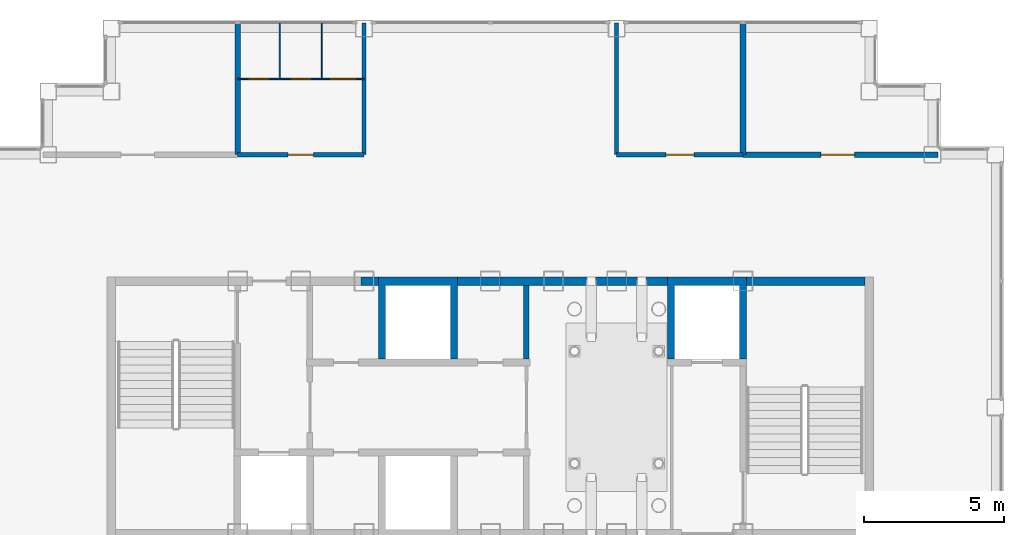
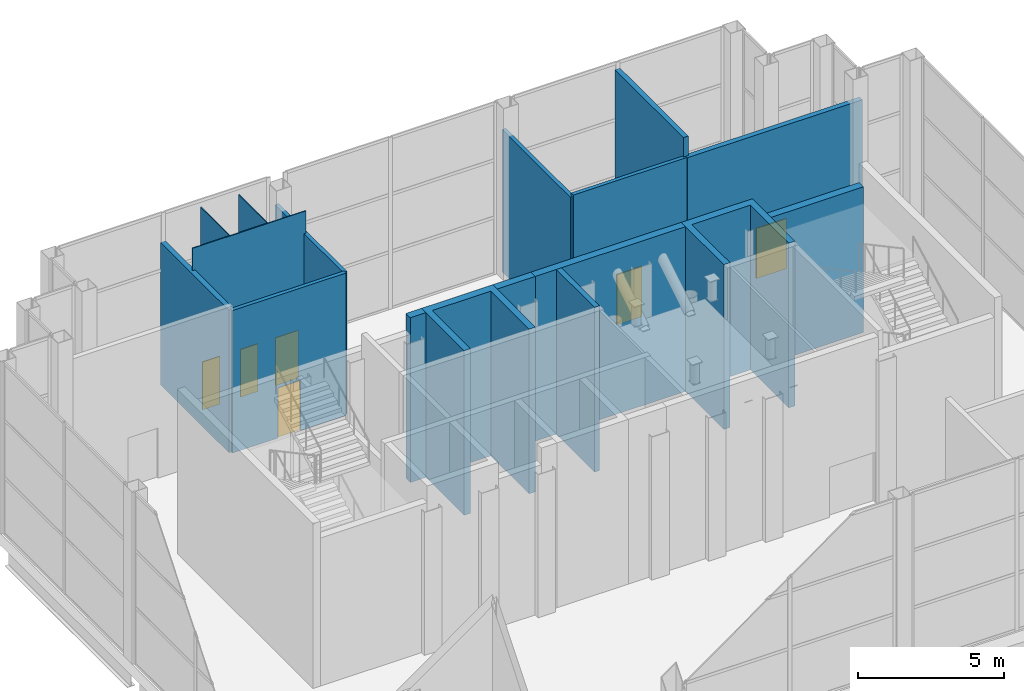
# One storey, part 10 of 15: 17 walls, 6 doors, 6 openings.
"""IFC4 building model written with IfcOpenShell, lengths in metres."""

from ifc_helpers import new_model, si_unit, direction, frame, frame_2d, origin, place, context, subcontext, project, spatial, polyline, rectangle, outline, extrude, material, layer, layer_set, type_object, element, fill, save


model = new_model("IFC4")

# Units and contexts
model_context = context("Model", 3, precision=1e-05, world=origin(), true_north=direction((0.0, 1.0)))
body_context = subcontext(model_context, "Body", "Model", "MODEL_VIEW")
ifc_project = project(units=[si_unit("LENGTHUNIT", "METRE"), si_unit("AREAUNIT", "SQUARE_METRE"), si_unit("VOLUMEUNIT", "CUBIC_METRE"), si_unit("PLANEANGLEUNIT", "RADIAN"), si_unit("MASSUNIT", "GRAM", prefix="KILO")], contexts=[model_context])

# Site, building, storey
site_placement = place(None, origin())
site = spatial("IfcSite", under=ifc_project, at=site_placement, CompositionType="ELEMENT")
building_placement = place(site_placement, origin())
building = spatial("IfcBuilding", under=site, at=building_placement, Name="Caravel Reach Hotel and Residences", CompositionType="ELEMENT")
storey_placement = place(building_placement, frame((0.0, 0.0, 305.60009765625)))
storey = spatial("IfcBuildingStorey", under=building, at=storey_placement, Name="L78", CompositionType="ELEMENT", Elevation=305.60009765625)

# Wall
ifc_material_1 = material(Name="Autoclaved aerated block wall")
ifc_layer_1 = layer(ifc_material_1, 0.199951171875)
ifc_layer_set_1 = layer_set([ifc_layer_1], Name="Compartment wall 200 mm EI 120")
wall_type_1 = type_object("IfcWallType", Name="Compartment wall 200 mm EI 120", PredefinedType="PARTITIONING", material=ifc_layer_set_1)
wall_1_placement = place(storey_placement, frame((32.78564453125, 28.72509765625, 0.0), z_axis=(0.0, 0.0, 1.0), x_axis=(0.0, 1.0, 0.0)))
element("IfcWall", 1, at=wall_1_placement, inside=storey, type_object=wall_type_1, Name="L78 damper hall wall N", PredefinedType="PARTITIONING", context=body_context, shape_type="SweptSolid", body=[
    extrude(rectangle(XDim=2.625, YDim=0.199951171875, at=frame_2d((1.3125, 0.0))), origin(), (0.0, 0.0, 1.0), 6.89990234375),
])

# Wall, opening, door
wall_2_placement = place(storey_placement, frame((40.5, 36.0, 0.0), z_axis=(0.0, 0.0, 1.0), x_axis=(1.0, 0.0, 0.0)))
wall_2 = element("IfcWall", 2, at=wall_2_placement, inside=storey, type_object=wall_type_1, Name="L78 wall w008", PredefinedType="PARTITIONING", context=body_context, shape_type="SweptSolid", body=[
    extrude(rectangle(XDim=6.93994140625, YDim=0.199951171875, at=frame_2d((3.469970703125, 0.0))), origin(), (0.0, 0.0, 1.0), 6.079833984375),
])
opening_1_placement = place(wall_2_placement, frame((2.77490234375, 0.0, 0.0)))
opening_1 = element("IfcOpeningElement", 3, at=opening_1_placement, cuts=wall_2, Name="Opening D78-014", PredefinedType="OPENING", context=body_context, shape_type="SweptSolid", body=[
    extrude(rectangle(XDim=1.199951171875, YDim=2.10009765625, at=frame_2d((0.60009765625, 1.050048828125))), frame((0.0, 0.10986328125, 0.0), z_axis=(0.0, -1.0, 0.0), x_axis=(1.0, 0.0, 0.0)), (0.0, 0.0, 1.0), 0.219970703125),
])
ifc_material_2 = material(Name="Steel fire door leaf", Category="steel")
door_type_1 = type_object("IfcDoorType", Name="Plant room door 1200 x 2100 EI 60", OperationType="SINGLE_SWING_LEFT", PredefinedType="DOOR", material=ifc_material_2)
door_1_placement = place(opening_1_placement, origin())
door_1 = element("IfcDoor", 4, at=door_1_placement, inside=storey, type_object=door_type_1, Name="door D78-014", OperationType="SINGLE_SWING_RIGHT", OverallHeight=2.10009765625, OverallWidth=1.199951171875, PredefinedType="DOOR", context=body_context, shape_type="SweptSolid", body=[
    extrude(rectangle(XDim=1.199951171875, YDim=2.10009765625, at=frame_2d((0.60009765625, 1.050048828125))), frame((0.0, 0.02490234375, 0.0), z_axis=(0.0, -1.0, 0.0), x_axis=(1.0, 0.0, 0.0)), (0.0, 0.0, 1.0), 0.050048828125),
])
fill(opening_1, door_1)

# Walls
wall_3_placement = place(storey_placement, frame((22.5, 36.0, 0.0), z_axis=(0.0, 0.0, 1.0), x_axis=(0.0, 1.0, 0.0)))
element("IfcWall", 5, at=wall_3_placement, inside=storey, type_object=wall_type_1, Name="L78 wall w009", PredefinedType="PARTITIONING", context=body_context, shape_type="SweptSolid", body=[
    extrude(rectangle(XDim=4.68994140625, YDim=0.199951171875, at=frame_2d((2.344970703125, 0.0))), origin(), (0.0, 0.0, 1.0), 5.968017578125),
])
wall_4_placement = place(storey_placement, frame((40.5, 36.0, 0.0), z_axis=(0.0, 0.0, 1.0), x_axis=(0.0, 1.0, 0.0)))
element("IfcWall", 6, at=wall_4_placement, inside=storey, type_object=wall_type_1, Name="L78 wall w011", PredefinedType="PARTITIONING", context=body_context, shape_type="SweptSolid", body=[
    extrude(rectangle(XDim=4.68994140625, YDim=0.199951171875, at=frame_2d((2.344970703125, 0.0))), origin(), (0.0, 0.0, 1.0), 6.89990234375),
])
ifc_material_3 = material(Name="Concrete C60", Category="concrete")
ifc_layer_2 = layer(ifc_material_3, 0.300048828125)
ifc_layer_set_2 = layer_set([ifc_layer_2], Name="Core wall 300 mm EI 120")
wall_type_2 = type_object("IfcWallType", Name="Core wall 300 mm EI 120", PredefinedType="SHEAR", material=ifc_layer_set_2)
wall_5_placement = place(storey_placement, frame((30.33935546875, 31.5, 0.0), z_axis=(0.0, 0.0, 1.0), x_axis=(1.0, 0.0, 0.0)))
element("IfcWall", 7, at=wall_5_placement, inside=storey, type_object=wall_type_2, Name="L78 core wall N2", PredefinedType="SHEAR", context=body_context, shape_type="SweptSolid", body=[
    extrude(rectangle(XDim=1.5107421875, YDim=0.300048828125, at=frame_2d((0.75537109375, 0.0))), origin(), (0.0, 0.0, 1.0), 6.89990234375),
])
wall_6_placement = place(storey_placement, frame((40.625, 31.5, 0.0), z_axis=(0.0, 0.0, 1.0), x_axis=(1.0, 0.0, 0.0)))
element("IfcWall", 8, at=wall_6_placement, inside=storey, type_object=wall_type_2, Name="L78 core wall N3", PredefinedType="SHEAR", context=body_context, shape_type="SweptSolid", body=[
    extrude(rectangle(XDim=4.22509765625, YDim=0.300048828125, at=frame_2d((2.112548828125, 0.0))), origin(), (0.0, 0.0, 1.0), 6.099853515625),
])
wall_7_placement = place(storey_placement, frame((26.89990234375, 31.5, 0.0), z_axis=(0.0, 0.0, 1.0), x_axis=(1.0, 0.0, 0.0)))
element("IfcWall", 9, at=wall_7_placement, inside=storey, type_object=wall_type_2, Name="L78 core wall N1 (2)", PredefinedType="SHEAR", context=body_context, shape_type="SweptSolid", body=[
    extrude(rectangle(XDim=0.617919921875, YDim=0.300048828125, at=frame_2d((0.30908203125, 0.0))), origin(), (0.0, 0.0, 1.0), 6.89990234375),
])
wall_8_placement = place(storey_placement, frame((31.85009765625, 31.5, 0.0), z_axis=(0.0, 0.0, 1.0), x_axis=(1.0, 0.0, 0.0)))
element("IfcWall", 10, at=wall_8_placement, inside=storey, type_object=wall_type_2, Name="L78 core wall N2 (2)", PredefinedType="SHEAR", context=body_context, shape_type="SweptSolid", body=[
    extrude(rectangle(XDim=5.953369140625, YDim=0.300048828125, at=frame_2d((2.9765625, 0.0))), origin(), (0.0, 0.0, 1.0), 6.89990234375),
])

# Wall, opening, door
ifc_material_4 = material(Name="Gypsum board on steel stud, fire-rated", Category="steel")
ifc_layer_3 = layer(ifc_material_4, 0.14990234375)
ifc_layer_set_3 = layer_set([ifc_layer_3], Name="Corridor wall 150 mm EI 60")
wall_type_3 = type_object("IfcWallType", Name="Corridor wall 150 mm EI 60", PredefinedType="PARTITIONING", material=ifc_layer_set_3)
wall_9_placement = place(storey_placement, frame((22.5, 36.0, 0.0), z_axis=(0.0, 0.0, 1.0), x_axis=(1.0, 0.0, 0.0)))
wall_9 = element("IfcWall", 11, at=wall_9_placement, inside=storey, type_object=wall_type_3, Name="L78 wall w001", PredefinedType="PARTITIONING", context=body_context, shape_type="SweptSolid", body=[
    extrude(rectangle(XDim=4.5, YDim=0.14990234375, at=frame_2d((2.25, 0.0))), origin(), (0.0, 0.0, 1.0), 5.968017578125),
])
opening_2_placement = place(wall_9_placement, frame((1.800048828125, 0.0, 0.0)))
opening_2 = element("IfcOpeningElement", 12, at=opening_2_placement, cuts=wall_9, Name="Opening D78-017", PredefinedType="OPENING", context=body_context, shape_type="SweptSolid", body=[
    extrude(rectangle(XDim=0.89990234375, YDim=2.10009765625, at=frame_2d((0.449951171875, 1.050048828125))), frame((0.0, 0.0849609375, 0.0), z_axis=(0.0, -1.0, 0.0), x_axis=(1.0, 0.0, 0.0)), (0.0, 0.0, 1.0), 0.169921875),
])
ifc_material_5 = material(Name="Timber and steel door leaf", Category="steel")
door_type_2 = type_object("IfcDoorType", Name="Door 900 x 2100 timber", OperationType="SINGLE_SWING_LEFT", PredefinedType="DOOR", material=ifc_material_5)
door_2_placement = place(opening_2_placement, origin())
door_2 = element("IfcDoor", 13, at=door_2_placement, inside=storey, type_object=door_type_2, Name="door D78-017", OperationType="SINGLE_SWING_LEFT", OverallHeight=2.10009765625, OverallWidth=0.89990234375, PredefinedType="DOOR", context=body_context, shape_type="SweptSolid", body=[
    extrude(rectangle(XDim=0.89990234375, YDim=2.10009765625, at=frame_2d((0.449951171875, 1.050048828125))), frame((0.0, 0.02490234375, 0.0), z_axis=(0.0, -1.0, 0.0), x_axis=(1.0, 0.0, 0.0)), (0.0, 0.0, 1.0), 0.050048828125),
])
fill(opening_2, door_2)

wall_10_placement = place(storey_placement, frame((36.0, 36.0, 0.0), z_axis=(0.0, 0.0, 1.0), x_axis=(1.0, 0.0, 0.0)))
wall_10 = element("IfcWall", 14, at=wall_10_placement, inside=storey, type_object=wall_type_3, Name="L78 wall w002", PredefinedType="PARTITIONING", context=body_context, shape_type="SweptSolid", body=[
    extrude(rectangle(XDim=4.5, YDim=0.14990234375, at=frame_2d((2.25, 0.0))), origin(), (0.0, 0.0, 1.0), 6.079833984375),
])
opening_3_placement = place(wall_10_placement, frame((1.75, 0.0, 0.0)))
opening_3 = element("IfcOpeningElement", 15, at=opening_3_placement, cuts=wall_10, Name="Opening D78-018", PredefinedType="OPENING", context=body_context, shape_type="SweptSolid", body=[
    extrude(rectangle(XDim=1.0, YDim=2.10009765625, at=frame_2d((0.5, 1.050048828125))), frame((0.0, 0.0849609375, 0.0), z_axis=(0.0, -1.0, 0.0), x_axis=(1.0, 0.0, 0.0)), (0.0, 0.0, 1.0), 0.169921875),
])
ifc_material_6 = material(Name="Steel fire door leaf", Category="steel")
door_type_3 = type_object("IfcDoorType", Name="Fire door 1000 x 2100 EI 60", OperationType="SINGLE_SWING_LEFT", PredefinedType="DOOR", material=ifc_material_6)
door_3_placement = place(opening_3_placement, origin())
door_3 = element("IfcDoor", 16, at=door_3_placement, inside=storey, type_object=door_type_3, Name="door D78-018", OperationType="SINGLE_SWING_RIGHT", OverallHeight=2.10009765625, OverallWidth=1.0, PredefinedType="DOOR", context=body_context, shape_type="SweptSolid", body=[
    extrude(rectangle(XDim=1.0, YDim=2.10009765625, at=frame_2d((0.5, 1.050048828125))), frame((0.0, 0.02490234375, 0.0), z_axis=(0.0, -1.0, 0.0), x_axis=(1.0, 0.0, 0.0)), (0.0, 0.0, 1.0), 0.050048828125),
])
fill(opening_3, door_3)

# Walls
for number, where, z_axis, x_axis, name in (
    (17, (27.0, 36.0, 0.0), (0.0, 0.0, 1.0), (0.0, 1.0, 0.0), "L78 wall w003"),
    (18, (36.0, 36.0, 0.0), (0.0, 0.0, 1.0), (0.0, 1.0, 0.0), "L78 wall w004"),
):
    element("IfcWall", number, at=place(storey_placement, frame(where, z_axis=z_axis, x_axis=x_axis)), inside=storey, type_object=wall_type_3, Name=name, PredefinedType="PARTITIONING", context=body_context, shape_type="SweptSolid", body=[
        extrude(rectangle(XDim=4.68994140625, YDim=0.14990234375, at=frame_2d((2.344970703125, 0.0))), origin(), (0.0, 0.0, 1.0), 5.968017578125),
    ])
ifc_material_7 = material(Name="Concrete C60", Category="concrete")
ifc_layer_4 = layer(ifc_material_7, 0.25)
ifc_layer_set_4 = layer_set([ifc_layer_4], Name="Shaft wall 250 mm EI 120")
wall_type_4 = type_object("IfcWallType", Name="Shaft wall 250 mm EI 120", PredefinedType="SHEAR", material=ifc_layer_set_4)
wall_11_placement = place(storey_placement, origin())
element("IfcWall", 19, at=wall_11_placement, inside=storey, type_object=wall_type_4, Name="L78 lift shaft wall N1", PredefinedType="SHEAR", context=body_context, shape_type="SweptSolid", body=[
    extrude(outline(polyline([(27.517822265625, 28.72509765625), (27.767822265625, 28.72509765625), (27.767822265625, 31.35009765625), (30.08935546875, 31.35009765625), (30.08935546875, 28.72509765625), (30.33935546875, 28.72509765625), (30.33935546875, 31.64990234375), (27.517822265625, 31.64990234375), (27.517822265625, 28.72509765625)])), origin(), (0.0, 0.0, 1.0), 6.89990234375),
])
wall_12_placement = place(storey_placement, origin())
element("IfcWall", 20, at=wall_12_placement, inside=storey, type_object=wall_type_4, Name="L78 lift shaft wall N2", PredefinedType="SHEAR", context=body_context, shape_type="SweptSolid", body=[
    extrude(outline(polyline([(37.803466796875, 28.72509765625), (38.053466796875, 28.72509765625), (38.053466796875, 31.35009765625), (40.375, 31.35009765625), (40.375, 28.72509765625), (40.625, 28.72509765625), (40.625, 31.64990234375), (37.803466796875, 31.64990234375), (37.803466796875, 28.72509765625)])), origin(), (0.0, 0.0, 1.0), 6.89990234375),
])
ifc_material_8 = material(Name="Laminate cubicle panel")
ifc_layer_5 = layer(ifc_material_8, 0.0400390625)
ifc_layer_set_5 = layer_set([ifc_layer_5], Name="WC cubicle partition 40 mm")
wall_type_5 = type_object("IfcWallType", Name="WC cubicle partition 40 mm", PredefinedType="PARTITIONING", material=ifc_layer_set_5)
for number, where, z_axis, x_axis, name in (
    (21, (24.0, 40.68994140625, 0.0), (0.0, 0.0, 1.0), (0.0, -1.0, 0.0), "L78 wall cbr05.d1"),
    (22, (25.5, 40.68994140625, 0.0), (0.0, 0.0, 1.0), (0.0, -1.0, 0.0), "L78 wall cbr05.d2"),
):
    element("IfcWall", number, at=place(storey_placement, frame(where, z_axis=z_axis, x_axis=x_axis)), inside=storey, type_object=wall_type_5, Name=name, PredefinedType="PARTITIONING", context=body_context, shape_type="SweptSolid", body=[
        extrude(rectangle(XDim=1.989990234375, YDim=0.0400390625, at=frame_2d((0.9951171875, 0.0))), origin(), (0.0, 0.0, 1.0), 6.89990234375),
    ])

# Wall, openings, doors
wall_13_placement = place(storey_placement, frame((22.5, 38.699951171875, 0.0), z_axis=(0.0, 0.0, 1.0), x_axis=(1.0, 0.0, 0.0)))
wall_13 = element("IfcWall", 23, at=wall_13_placement, inside=storey, type_object=wall_type_5, Name="L78 wall cbr05.f", PredefinedType="PARTITIONING", context=body_context, shape_type="SweptSolid", body=[
    extrude(rectangle(XDim=4.5, YDim=0.0400390625, at=frame_2d((2.25, 0.0))), origin(), (0.0, 0.0, 1.0), 6.89990234375),
])
opening_4_placement = place(wall_13_placement, frame((0.39990234375, 0.0, 0.0)))
opening_4 = element("IfcOpeningElement", 24, at=opening_4_placement, cuts=wall_13, Name="Opening D78-019", PredefinedType="OPENING", context=body_context, shape_type="SweptSolid", body=[
    extrude(rectangle(XDim=0.699951171875, YDim=2.0, at=frame_2d((0.35009765625, 1.0))), frame((0.0, 0.030029296875, 0.0), z_axis=(0.0, -1.0, 0.0), x_axis=(1.0, 0.0, 0.0)), (0.0, 0.0, 1.0), 0.06005859375),
])
opening_5_placement = place(wall_13_placement, frame((1.89990234375, 0.0, 0.0)))
opening_5 = element("IfcOpeningElement", 25, at=opening_5_placement, cuts=wall_13, Name="Opening D78-020", PredefinedType="OPENING", context=body_context, shape_type="SweptSolid", body=[
    extrude(rectangle(XDim=0.699951171875, YDim=2.0, at=frame_2d((0.35009765625, 1.0))), frame((0.0, 0.030029296875, 0.0), z_axis=(0.0, -1.0, 0.0), x_axis=(1.0, 0.0, 0.0)), (0.0, 0.0, 1.0), 0.06005859375),
])
opening_6_placement = place(wall_13_placement, frame((3.300048828125, 0.0, 0.0)))
opening_6 = element("IfcOpeningElement", 26, at=opening_6_placement, cuts=wall_13, Name="Opening D78-021", PredefinedType="OPENING", context=body_context, shape_type="SweptSolid", body=[
    extrude(rectangle(XDim=0.89990234375, YDim=2.0, at=frame_2d((0.449951171875, 1.0))), frame((0.0, 0.030029296875, 0.0), z_axis=(0.0, -1.0, 0.0), x_axis=(1.0, 0.0, 0.0)), (0.0, 0.0, 1.0), 0.06005859375),
])
ifc_material_9 = material(Name="Timber and steel door leaf", Category="steel")
door_type_4 = type_object("IfcDoorType", Name="Accessible cubicle door 900 x 2000", OperationType="SINGLE_SWING_LEFT", PredefinedType="DOOR", material=ifc_material_9)
door_4_placement = place(opening_6_placement, origin())
door_4 = element("IfcDoor", 27, at=door_4_placement, inside=storey, type_object=door_type_4, Name="door D78-021", OperationType="SINGLE_SWING_RIGHT", OverallHeight=2.0, OverallWidth=0.89990234375, PredefinedType="DOOR", context=body_context, shape_type="SweptSolid", body=[
    extrude(rectangle(XDim=0.89990234375, YDim=2.0, at=frame_2d((0.449951171875, 1.0))), frame((0.0, 0.019775390625, 0.0), z_axis=(0.0, -1.0, 0.0), x_axis=(1.0, 0.0, 0.0)), (0.0, 0.0, 1.0), 0.03955078125),
])
fill(opening_6, door_4)
ifc_material_10 = material(Name="Timber and steel door leaf", Category="steel")
door_type_5 = type_object("IfcDoorType", Name="WC cubicle door 700 x 2000", OperationType="SINGLE_SWING_LEFT", PredefinedType="DOOR", material=ifc_material_10)
door_5_placement = place(opening_4_placement, origin())
door_5 = element("IfcDoor", 28, at=door_5_placement, inside=storey, type_object=door_type_5, Name="door D78-019", OperationType="SINGLE_SWING_LEFT", OverallHeight=2.0, OverallWidth=0.699951171875, PredefinedType="DOOR", context=body_context, shape_type="SweptSolid", body=[
    extrude(rectangle(XDim=0.699951171875, YDim=2.0, at=frame_2d((0.35009765625, 1.0))), frame((0.0, 0.019775390625, 0.0), z_axis=(0.0, -1.0, 0.0), x_axis=(1.0, 0.0, 0.0)), (0.0, 0.0, 1.0), 0.03955078125),
])
fill(opening_4, door_5)
door_6_placement = place(opening_5_placement, origin())
door_6 = element("IfcDoor", 29, at=door_6_placement, inside=storey, type_object=door_type_5, Name="door D78-020", OperationType="SINGLE_SWING_LEFT", OverallHeight=2.0, OverallWidth=0.699951171875, PredefinedType="DOOR", context=body_context, shape_type="SweptSolid", body=[
    extrude(rectangle(XDim=0.699951171875, YDim=2.0, at=frame_2d((0.35009765625, 1.0))), frame((0.0, 0.019775390625, 0.0), z_axis=(0.0, -1.0, 0.0), x_axis=(1.0, 0.0, 0.0)), (0.0, 0.0, 1.0), 0.03955078125),
])
fill(opening_5, door_6)

save(model, "model.ifc")
